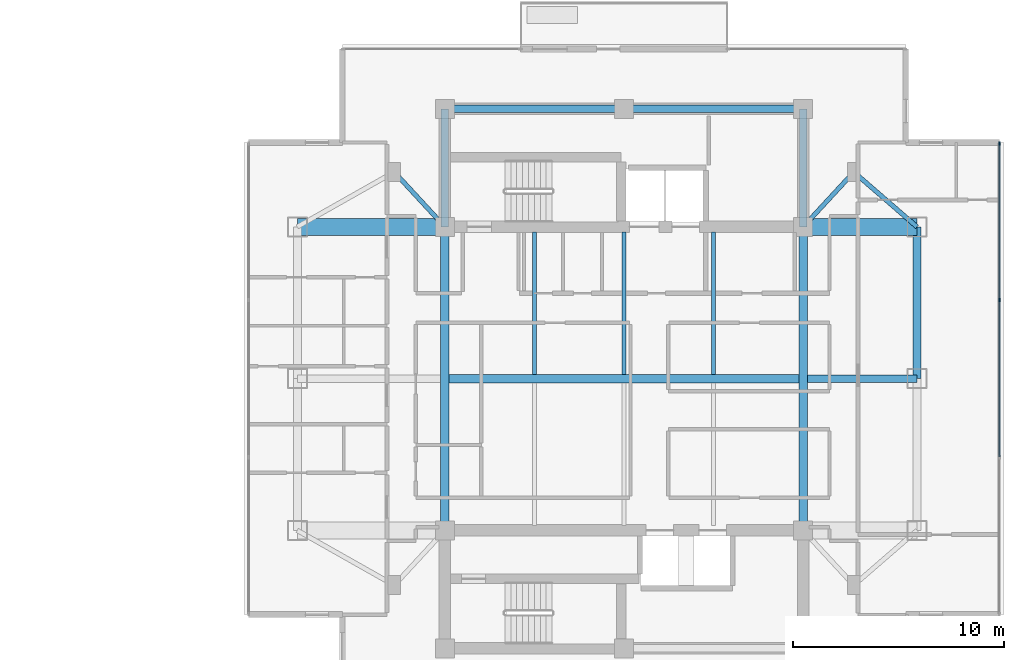
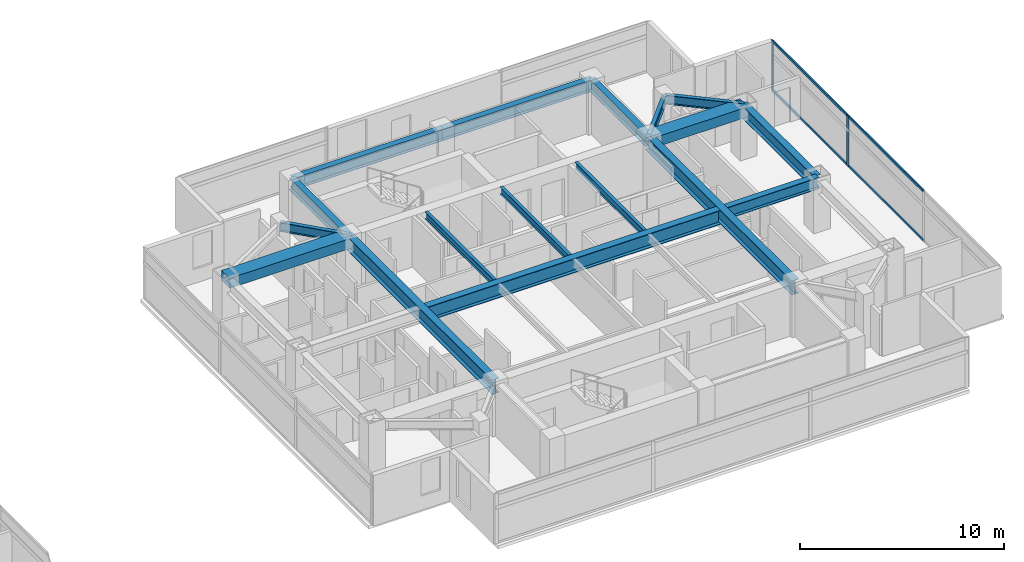
# One storey, part 10 of 26: 17 beams, 6 members, 1 element without a shape of its own.
"""IFC4 building model written with IfcOpenShell, lengths in metres."""

from ifc_helpers import new_model, si_unit, direction, frame, origin, origin_2d, place, context, subcontext, project, spatial, rectangle, i_section, extrude, material, material_profile, profile_set, type_object, element, aggregate, save


model = new_model("IFC4")

# Units and contexts
model_context = context("Model", 3, precision=1e-05, world=origin(), true_north=direction((0.0, 1.0)))
body_context = subcontext(model_context, "Body", "Model", "MODEL_VIEW")
ifc_project = project(units=[si_unit("LENGTHUNIT", "METRE"), si_unit("AREAUNIT", "SQUARE_METRE"), si_unit("VOLUMEUNIT", "CUBIC_METRE"), si_unit("PLANEANGLEUNIT", "RADIAN"), si_unit("MASSUNIT", "GRAM", prefix="KILO")], contexts=[model_context])

# Site, building, storey
site_placement = place(None, origin())
site = spatial("IfcSite", under=ifc_project, at=site_placement, CompositionType="ELEMENT")
building_placement = place(site_placement, origin())
building = spatial("IfcBuilding", under=site, at=building_placement, Name="Mirazonda Arch Towers", CompositionType="ELEMENT")
storey_placement = place(building_placement, frame((0.0, 0.0, 203.14990234375)))
storey = spatial("IfcBuildingStorey", under=building, at=storey_placement, Name="L58", CompositionType="ELEMENT", Elevation=203.14990234375)

# Beams
ifc_material_1 = material(Name="Steel ASTM A992 Grade 50", Category="steel")
ifc_material_profile_1 = material_profile(ifc_material_1, i_section(OverallWidth=0.381103515625, OverallDepth=0.77294921875, WebThickness=0.0166015625, FlangeThickness=0.027099609375, at=origin_2d()), Name="W30X173")
ifc_profile_set_1 = profile_set([ifc_material_profile_1], Name="Steel ASTM A992 Grade 50")
beam_type_1 = type_object("IfcBeamType", Name="BM-EXT-W30X173", PredefinedType="USERDEFINED", material=ifc_profile_set_1)
beam_1_placement = place(storey_placement, frame((90.39990234375, 28.0, 2.66357421875), z_axis=(0.0, 1.0, 0.0), x_axis=(-1.0, 0.0, 0.0)))
element("IfcBeam", 1, at=beam_1_placement, inside=storey, type_object=beam_type_1, Name="L58 Floor Beam BM-T2-L58-NS-E-28", ObjectType="GIRDER", PredefinedType="USERDEFINED", context=body_context, shape_type="SweptSolid", body=[
    extrude(i_section(OverallWidth=0.381103515625, OverallDepth=0.77294921875, WebThickness=0.0166015625, FlangeThickness=0.027099609375, at=origin_2d()), origin(), (0.0, 0.0, 1.0), 7.199951171875),
])
ifc_material_profile_2 = material_profile(ifc_material_1, i_section(OverallWidth=0.180908203125, OverallDepth=0.4169921875, WebThickness=0.010986328125, FlangeThickness=0.018310546875, at=origin_2d()), Name="W16X57")
ifc_profile_set_2 = profile_set([ifc_material_profile_2], Name="Steel ASTM A992 Grade 50")
beam_type_2 = type_object("IfcBeamType", Name="BM-INT-W16X57", PredefinedType="JOIST", material=ifc_profile_set_2)
for number, where, z_axis, x_axis, name in (
    (2, (72.25, 28.196044921875, 2.841552734375), (0.0, 1.0, 0.0), (-1.0, 0.0, 0.0), "L58 Floor Beam BM-T2-L58-J-722-28"),
    (3, (76.5, 28.196044921875, 2.841552734375), (0.0, 1.0, 0.0), (-1.0, 0.0, 0.0), "L58 Floor Beam BM-T2-L58-J-765-28"),
    (4, (80.75, 28.196044921875, 2.841552734375), (0.0, 1.0, 0.0), (-1.0, 0.0, 0.0), "L58 Floor Beam BM-T2-L58-J-807-28"),
):
    element("IfcBeam", number, at=place(storey_placement, frame(where, z_axis=z_axis, x_axis=x_axis)), inside=storey, type_object=beam_type_2, Name=name, PredefinedType="JOIST", context=body_context, shape_type="SweptSolid", body=[
        extrude(i_section(OverallWidth=0.180908203125, OverallDepth=0.4169921875, WebThickness=0.010986328125, FlangeThickness=0.018310546875, at=origin_2d()), origin(), (0.0, 0.0, 1.0), 6.763916015625),
    ])
ifc_material_profile_3 = material_profile(ifc_material_1, i_section(OverallWidth=0.214111328125, OverallDepth=0.549072265625, WebThickness=0.0146484375, FlangeThickness=0.023681640625, at=origin_2d()), Name="W21X93")
ifc_profile_set_3 = profile_set([ifc_material_profile_3], Name="Steel ASTM A992 Grade 50")
beam_type_3 = type_object("IfcBeamType", Name="BM-INT-W21X93", PredefinedType="BEAM", material=ifc_profile_set_3)
for number, where, z_axis, x_axis, name in (
    (5, (65.60009765625, 37.800048828125, 2.775634765625), (0.678251444854, -0.734829897019, 0.0), (0.734829897019, 0.678251444854, 0.0), "L58 Floor Beam BM-T2-L58-PL-NW1"),
    (6, (87.39990234375, 37.800048828125, 2.775634765625), (-0.678251444854, -0.734829897019, 0.0), (0.734829897019, -0.678251444854, 0.0), "L58 Floor Beam BM-T2-L58-PL-NE1"),
):
    element("IfcBeam", number, at=place(storey_placement, frame(where, z_axis=z_axis, x_axis=x_axis)), inside=storey, type_object=beam_type_3, Name=name, PredefinedType="BEAM", context=body_context, shape_type="SweptSolid", body=[
        extrude(i_section(OverallWidth=0.214111328125, OverallDepth=0.549072265625, WebThickness=0.0146484375, FlangeThickness=0.023681640625, at=origin_2d()), origin(), (0.0, 0.0, 1.0), 3.538330078125),
    ])
beam_2_placement = place(storey_placement, frame((87.39990234375, 37.800048828125, 2.775634765625), z_axis=(0.755676908098, -0.654944585876, 0.0), x_axis=(0.654944585876, 0.755676908098, 0.0)))
element("IfcBeam", 7, at=beam_2_placement, inside=storey, type_object=beam_type_3, Name="L58 Floor Beam BM-T2-L58-PL-NE2", PredefinedType="BEAM", context=body_context, shape_type="SweptSolid", body=[
    extrude(i_section(OverallWidth=0.214111328125, OverallDepth=0.549072265625, WebThickness=0.0146484375, FlangeThickness=0.023681640625, at=origin_2d()), origin(), (0.0, 0.0, 1.0), 3.969970703125),
])
ifc_material_profile_4 = material_profile(ifc_material_1, i_section(OverallWidth=0.35498046875, OverallDepth=0.696044921875, WebThickness=0.015380859375, FlangeThickness=0.02490234375, at=origin_2d()), Name="W27X146")
ifc_profile_set_4 = profile_set([ifc_material_profile_4], Name="Steel ASTM A992 Grade 50")
beam_type_4 = type_object("IfcBeamType", Name="BM-INT-W27X146", PredefinedType="BEAM", material=ifc_profile_set_4)
for number, where, z_axis, x_axis, name in (
    (8, (68.0, 40.800048828125, 2.7021484375), (1.0, 0.0, 0.0), (0.0, 1.0, 0.0), "L58 Floor Beam BM-T2-L58-CN1"),
    (9, (76.5, 40.800048828125, 2.7021484375), (1.0, 0.0, 0.0), (0.0, 1.0, 0.0), "L58 Floor Beam BM-T2-L58-CN2"),
):
    element("IfcBeam", number, at=place(storey_placement, frame(where, z_axis=z_axis, x_axis=x_axis)), inside=storey, type_object=beam_type_4, Name=name, PredefinedType="BEAM", context=body_context, shape_type="SweptSolid", body=[
        extrude(i_section(OverallWidth=0.35498046875, OverallDepth=0.696044921875, WebThickness=0.015380859375, FlangeThickness=0.02490234375, at=origin_2d()), origin(), (0.0, 0.0, 1.0), 8.5),
    ])
for number, where, z_axis, x_axis, name in (
    (10, (68.0, 35.199951171875, 2.7021484375), (0.0, 1.0, 0.0), (-1.0, 0.0, 0.0), "L58 Floor Beam BM-T2-L58-CNW"),
    (11, (85.0, 35.199951171875, 2.7021484375), (0.0, 1.0, 0.0), (-1.0, 0.0, 0.0), "L58 Floor Beam BM-T2-L58-CNE"),
):
    element("IfcBeam", number, at=place(storey_placement, frame(where, z_axis=z_axis, x_axis=x_axis)), inside=storey, type_object=beam_type_4, Name=name, PredefinedType="BEAM", context=body_context, shape_type="SweptSolid", body=[
        extrude(i_section(OverallWidth=0.35498046875, OverallDepth=0.696044921875, WebThickness=0.015380859375, FlangeThickness=0.02490234375, at=origin_2d()), origin(), (0.0, 0.0, 1.0), 5.60009765625),
    ])
beam_3_placement = place(storey_placement, frame((85.199951171875, 28.0, 2.7021484375), z_axis=(1.0, 0.0, 0.0), x_axis=(0.0, 1.0, 0.0)))
element("IfcBeam", 12, at=beam_3_placement, inside=storey, type_object=beam_type_4, Name="L58 Floor Beam BM-T2-L58-GE2", PredefinedType="BEAM", context=body_context, shape_type="SweptSolid", body=[
    extrude(i_section(OverallWidth=0.35498046875, OverallDepth=0.696044921875, WebThickness=0.015380859375, FlangeThickness=0.02490234375, at=origin_2d()), origin(), (0.0, 0.0, 1.0), 5.199951171875),
])
ifc_material_profile_5 = material_profile(ifc_material_1, i_section(OverallWidth=0.39990234375, OverallDepth=0.85595703125, WebThickness=0.018310546875, FlangeThickness=0.029296875, at=origin_2d()), Name="W33X201")
ifc_profile_set_5 = profile_set([ifc_material_profile_5], Name="Steel ASTM A992 Grade 50")
beam_type_5 = type_object("IfcBeamType", Name="BM-INT-W33X201", PredefinedType="USERDEFINED", material=ifc_profile_set_5)
beam_4_placement = place(storey_placement, frame((68.199951171875, 28.0, 2.6220703125), z_axis=(1.0, 0.0, 0.0), x_axis=(0.0, 1.0, 0.0)))
element("IfcBeam", 13, at=beam_4_placement, inside=storey, type_object=beam_type_5, Name="L58 Floor Beam BM-T2-L58-GC2", ObjectType="GIRDER", PredefinedType="USERDEFINED", context=body_context, shape_type="SweptSolid", body=[
    extrude(i_section(OverallWidth=0.39990234375, OverallDepth=0.85595703125, WebThickness=0.018310546875, FlangeThickness=0.029296875, at=origin_2d()), origin(), (0.0, 0.0, 1.0), 16.60009765625),
])
for number, where, z_axis, x_axis, name in (
    (14, (68.0, 20.800048828125, 2.6220703125), (0.0, 1.0, 0.0), (-1.0, 0.0, 0.0), "L58 Floor Beam BM-T2-L58-NS-CW-FULL"),
    (15, (85.0, 20.800048828125, 2.6220703125), (0.0, 1.0, 0.0), (-1.0, 0.0, 0.0), "L58 Floor Beam BM-T2-L58-NS-CE-FULL"),
):
    element("IfcBeam", number, at=place(storey_placement, frame(where, z_axis=z_axis, x_axis=x_axis)), inside=storey, type_object=beam_type_5, Name=name, ObjectType="GIRDER", PredefinedType="USERDEFINED", context=body_context, shape_type="SweptSolid", body=[
        extrude(i_section(OverallWidth=0.39990234375, OverallDepth=0.85595703125, WebThickness=0.018310546875, FlangeThickness=0.029296875, at=origin_2d()), origin(), (0.0, 0.0, 1.0), 14.39990234375),
    ])
ifc_material_2 = material(Name="Concrete C60/75", Category="concrete")
ifc_material_profile_6 = material_profile(ifc_material_2, rectangle(XDim=0.800048828125, YDim=0.60009765625, at=origin_2d()), Name="RCCB800x600")
ifc_profile_set_6 = profile_set([ifc_material_profile_6], Name="Concrete C60/75")
beam_type_6 = type_object("IfcBeamType", Name="CB-INT-RCCB800x600", PredefinedType="SPANDREL", material=ifc_profile_set_6)
beam_5_placement = place(storey_placement, frame((61.0, 35.199951171875, 2.75), z_axis=(1.0, 0.0, 0.0), x_axis=(0.0, 1.0, 0.0)))
element("IfcBeam", 16, at=beam_5_placement, inside=storey, type_object=beam_type_6, Name="L58 Floor Beam CBC-T2-L58-NW", PredefinedType="SPANDREL", context=body_context, shape_type="SweptSolid", body=[
    extrude(rectangle(XDim=0.800048828125, YDim=0.60009765625, at=origin_2d()), origin(), (0.0, 0.0, 1.0), 7.0),
])
beam_6_placement = place(storey_placement, frame((85.0, 35.199951171875, 2.75), z_axis=(1.0, 0.0, 0.0), x_axis=(0.0, 1.0, 0.0)))
element("IfcBeam", 17, at=beam_6_placement, inside=storey, type_object=beam_type_6, Name="L58 Floor Beam CBC-T2-L58-NE", PredefinedType="SPANDREL", context=body_context, shape_type="SweptSolid", body=[
    extrude(rectangle(XDim=0.800048828125, YDim=0.60009765625, at=origin_2d()), origin(), (0.0, 0.0, 1.0), 5.39990234375),
])

# Curtain wall, members
ifc_material_3 = material(Name="Anodised Aluminium and Low-E Glass", Category="aluminium")
curtain_wall_type = type_object("IfcCurtainWallType", Name="CW-RES-UNIT", PredefinedType="NOTDEFINED", material=ifc_material_3)
curtain_wall_placement = place(storey_placement, origin())
curtain_wall = element("IfcCurtainWall", 18, at=curtain_wall_placement, inside=storey, type_object=curtain_wall_type, Name="L58 T2 E Facade CW-L58-T2-E", PredefinedType="NOTDEFINED")
ifc_material_4 = material(Name="Anodised Aluminium Alloy", Category="aluminium")
ifc_material_profile_7 = material_profile(ifc_material_4, rectangle(XDim=0.074951171875, YDim=0.175048828125, at=origin_2d()), Name="ALU-MULL-75x175")
ifc_profile_set_7 = profile_set([ifc_material_profile_7], Name="Anodised Aluminium Alloy")
member_type_1 = type_object("IfcMemberType", Name="MULL-CW-RES-UNIT", PredefinedType="MULLION", material=ifc_profile_set_7)
member_1_placement = place(storey_placement, frame((94.305419921875, 31.73291015625, 0.0), z_axis=(0.0, 0.0, 1.0), x_axis=(-1.0, 0.0, 0.0)))
member_1 = element("IfcMember", 19, at=member_1_placement, type_object=member_type_1, Name="CW-104 mullion 3", PredefinedType="MULLION", context=body_context, shape_type="SweptSolid", body=[
    extrude(rectangle(XDim=0.074951171875, YDim=0.175048828125, at=origin_2d()), origin(), (0.0, 0.0, 1.0), 3.030029296875),
])
member_2_placement = place(storey_placement, frame((94.305419921875, 39.1611328125, 0.0), z_axis=(0.0, 0.0, 1.0), x_axis=(-1.0, 0.0, 0.0)))
member_2 = element("IfcMember", 20, at=member_2_placement, type_object=member_type_1, Name="CW-104 mullion 4", PredefinedType="MULLION", context=body_context, shape_type="SweptSolid", body=[
    extrude(rectangle(XDim=0.074951171875, YDim=0.175048828125, at=origin_2d()), origin(), (0.0, 0.0, 1.0), 3.030029296875),
])
ifc_material_profile_8 = material_profile(ifc_material_4, rectangle(XDim=0.074951171875, YDim=0.155029296875, at=origin_2d()), Name="ALU-TRAN-75x155")
ifc_profile_set_8 = profile_set([ifc_material_profile_8], Name="Anodised Aluminium Alloy")
member_type_2 = type_object("IfcMemberType", Name="TRAN-CW-RES-UNIT", PredefinedType="USERDEFINED", material=ifc_profile_set_8)
member_3_placement = place(storey_placement, frame((94.305419921875, 24.3046875, 0.03759765625), z_axis=(0.0, 1.0, 0.0), x_axis=(-1.0, 0.0, 0.0)))
member_3 = element("IfcMember", 21, at=member_3_placement, type_object=member_type_2, Name="CW-104 transom 2.1", ObjectType="TRANSOM", PredefinedType="USERDEFINED", context=body_context, shape_type="SweptSolid", body=[
    extrude(rectangle(XDim=0.074951171875, YDim=0.155029296875, at=origin_2d()), origin(), (0.0, 0.0, 1.0), 7.390625),
])
member_4_placement = place(storey_placement, frame((94.305419921875, 24.3046875, 2.99267578125), z_axis=(0.0, 1.0, 0.0), x_axis=(-1.0, 0.0, 0.0)))
member_4 = element("IfcMember", 22, at=member_4_placement, type_object=member_type_2, Name="CW-104 transom 2.2", ObjectType="TRANSOM", PredefinedType="USERDEFINED", context=body_context, shape_type="SweptSolid", body=[
    extrude(rectangle(XDim=0.074951171875, YDim=0.155029296875, at=origin_2d()), origin(), (0.0, 0.0, 1.0), 7.390625),
])
member_5_placement = place(storey_placement, frame((94.305419921875, 31.770263671875, 0.03759765625), z_axis=(0.0, 1.0, 0.0), x_axis=(-1.0, 0.0, 0.0)))
member_5 = element("IfcMember", 23, at=member_5_placement, type_object=member_type_2, Name="CW-104 transom 3.1", ObjectType="TRANSOM", PredefinedType="USERDEFINED", context=body_context, shape_type="SweptSolid", body=[
    extrude(rectangle(XDim=0.074951171875, YDim=0.155029296875, at=origin_2d()), origin(), (0.0, 0.0, 1.0), 7.353271484375),
])
member_6_placement = place(storey_placement, frame((94.305419921875, 31.770263671875, 2.99267578125), z_axis=(0.0, 1.0, 0.0), x_axis=(-1.0, 0.0, 0.0)))
member_6 = element("IfcMember", 24, at=member_6_placement, type_object=member_type_2, Name="CW-104 transom 3.2", ObjectType="TRANSOM", PredefinedType="USERDEFINED", context=body_context, shape_type="SweptSolid", body=[
    extrude(rectangle(XDim=0.074951171875, YDim=0.155029296875, at=origin_2d()), origin(), (0.0, 0.0, 1.0), 7.353271484375),
])
aggregate(curtain_wall, [member_1, member_2, member_3, member_4, member_5, member_6])

save(model, "model.ifc")
